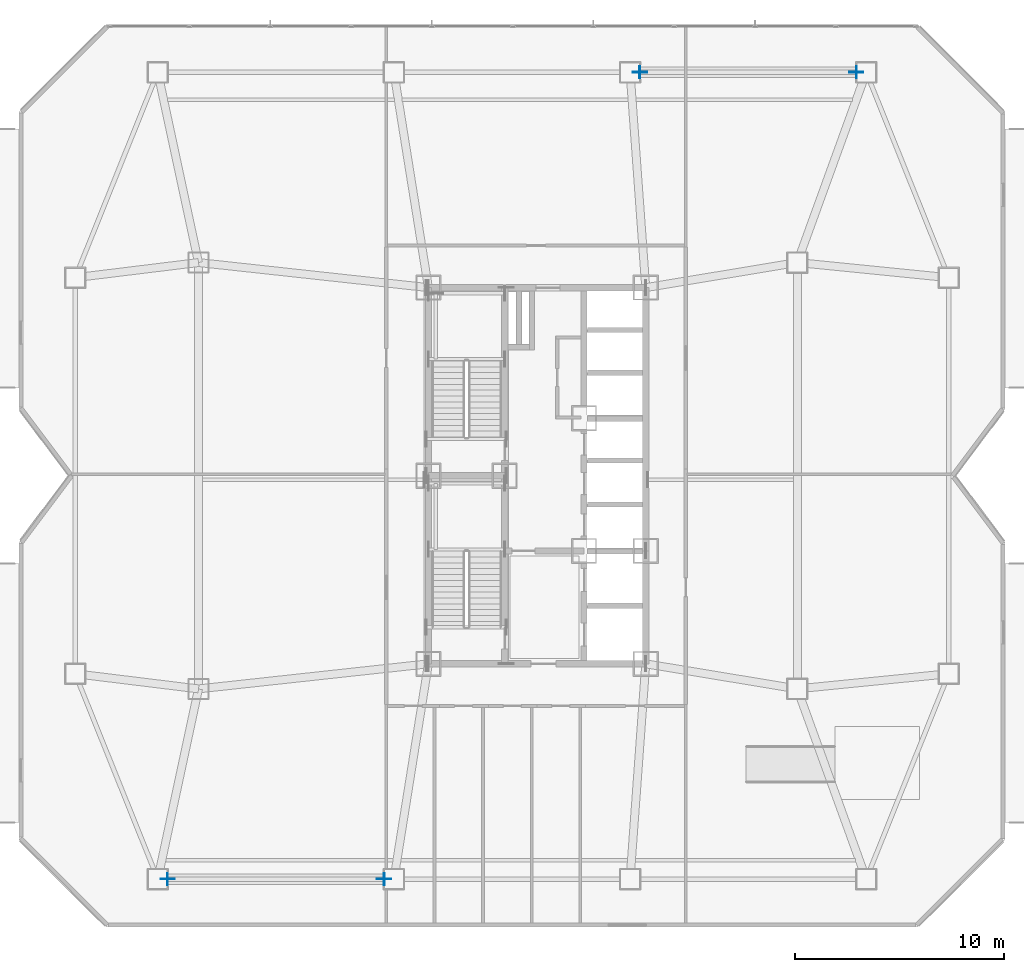
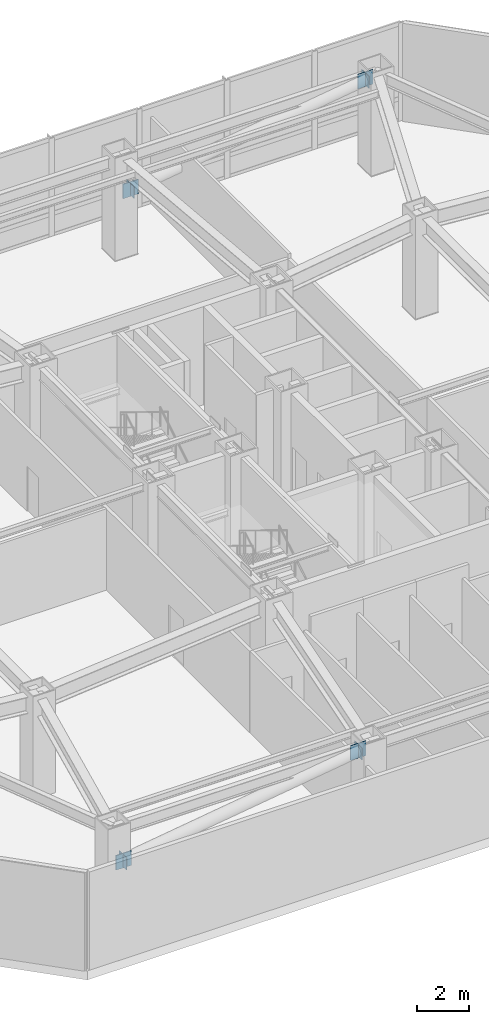
# One storey, part 8 of 14: 8 plates.
"""IFC4 building model written with IfcOpenShell, lengths in metres."""

import ifcopenshell
import ifcopenshell.guid

model = None  # the IFC model being written
_history = None  # IfcOwnerHistory: only IFC2X3 demands one
_inside = {}  # id of a spatial element -> (the spatial element, [elements in it])
_under = {}  # id of a project, library or spatial element -> (it, [spatial elements below it])
_declared = {}  # id of a project -> (the project, [libraries it declares])
_typed = {}  # id of a type object -> (the type object, [elements of that type])
_made_of = {}  # id of a material, layer set ... -> (it, [elements and type objects made of it])


def new_model(schema):
    """Start an empty IFC model of exactly this schema.

    Asked for "IFC4X3", IfcOpenShell would pick the latest addendum, in which some entities
    have other attributes; the version numbers below select the first issue.
    IFC2X3 requires an IfcOwnerHistory on every rooted entity: one is made here for all.
    """
    global model, _history
    if schema == "IFC4X3":
        model = ifcopenshell.file(schema_version=(4, 3, 0, 0))
    else:
        model = ifcopenshell.file(schema=schema)
    _inside.clear()
    _under.clear()
    _declared.clear()
    _typed.clear()
    _made_of.clear()
    _history = None
    if model.schema == "IFC2X3":
        org = make("IfcOrganization", Name="unknown")
        user = make(
            "IfcPersonAndOrganization",
            ThePerson=make("IfcPerson", FamilyName="unknown"),
            TheOrganization=org,
        )
        app = make(
            "IfcApplication",
            ApplicationDeveloper=org,
            Version="unknown",
            ApplicationFullName="unknown",
            ApplicationIdentifier="unknown",
        )
        _history = make(
            "IfcOwnerHistory",
            OwningUser=user,
            OwningApplication=app,
            ChangeAction="ADDED",
            CreationDate=0,
        )
    return model


def make(cls, **values):
    """One entity of the class cls with the attributes given. An attribute that is None is left unset."""
    return model.create_entity(
        cls, **{name: value for name, value in values.items() if value is not None}
    )


def rooted(cls, **values):
    """An entity with a GlobalId (a new one), such as an element, a storey or a relation."""
    return make(cls, GlobalId=ifcopenshell.guid.new(), OwnerHistory=_history, **values)


def si_unit(unit_type, name, prefix=None):
    """IfcSIUnit, for example si_unit("LENGTHUNIT", "METRE", prefix="MILLI")."""
    return make("IfcSIUnit", UnitType=unit_type, Prefix=prefix, Name=name)


def assignment(units):
    """IfcUnitAssignment: the units of a project."""
    return None if units is None else make("IfcUnitAssignment", Units=units)


def point(xyz):
    """IfcCartesianPoint."""
    return None if xyz is None else make("IfcCartesianPoint", Coordinates=xyz)


def direction(xyz):
    """IfcDirection."""
    return None if xyz is None else make("IfcDirection", DirectionRatios=xyz)


def frame(location, z_axis=None, x_axis=None):
    """IfcAxis2Placement3D, a coordinate frame: its origin and axes. An axis left out is left unset."""
    return make(
        "IfcAxis2Placement3D",
        Location=point(location),
        Axis=direction(z_axis),
        RefDirection=direction(x_axis),
    )


def frame_2d(location, x_axis=None):
    """IfcAxis2Placement2D, a coordinate frame in the plane: its origin and x axis."""
    return make(
        "IfcAxis2Placement2D", Location=point(location), RefDirection=direction(x_axis)
    )


def origin():
    """The frame at (0, 0, 0) with its axes left unset."""
    return frame((0.0, 0.0, 0.0))


def origin_2d():
    """The frame at (0, 0) in the plane with its x axis left unset."""
    return frame_2d((0.0, 0.0))


def place(relative_to, where):
    """IfcLocalPlacement: puts the frame where relative to a parent placement (None: the world)."""
    return make(
        "IfcLocalPlacement", PlacementRelTo=relative_to, RelativePlacement=where
    )


def context(
    kind, dimensions, precision=None, world=None, true_north=None, identifier=None
):
    """IfcGeometricRepresentationContext, for example the 3D "Model" context."""
    return make(
        "IfcGeometricRepresentationContext",
        ContextIdentifier=identifier,
        ContextType=kind,
        CoordinateSpaceDimension=dimensions,
        Precision=precision,
        WorldCoordinateSystem=world,
        TrueNorth=true_north,
    )


def subcontext(parent, identifier, kind, view, scale=None):
    """IfcGeometricRepresentationSubContext, for example "Body" below "Model"."""
    return make(
        "IfcGeometricRepresentationSubContext",
        ContextIdentifier=identifier,
        ContextType=kind,
        ParentContext=parent,
        TargetScale=scale,
        TargetView=view,
    )


def project(units=None, contexts=None):
    """IfcProject with its units and contexts."""
    return rooted(
        "IfcProject",
        Name="project",
        RepresentationContexts=contexts,
        UnitsInContext=assignment(units),
    )


def spatial(cls, under=None, at=None, **own):
    """A site, building, storey or space (cls), placed at a placement, below another one or the project."""
    s = rooted(cls, ObjectPlacement=at, **own)
    if under is not None:
        _under.setdefault(under.id(), (under, []))[1].append(s)
    return s


def profile(cls, at=None, kind="AREA", **sizes):
    """A parametric profile (cls). Its sizes go by their IFC names, for example OverallWidth=200.0."""
    return make(cls, ProfileType=kind, Position=at, **sizes)


def rectangle(**sizes):
    """IfcRectangleProfileDef."""
    return profile("IfcRectangleProfileDef", **sizes)


def extrude(swept, where, along, depth):
    """IfcExtrudedAreaSolid: the profile swept, set in the frame where, extruded along a direction by depth."""
    return make(
        "IfcExtrudedAreaSolid",
        SweptArea=swept,
        Position=where,
        ExtrudedDirection=direction(along),
        Depth=depth,
    )


def shape(context_of_items, identifier, shape_type, items):
    """IfcShapeRepresentation: the items that make up one representation, for example the "Body"."""
    return make(
        "IfcShapeRepresentation",
        ContextOfItems=context_of_items,
        RepresentationIdentifier=identifier,
        RepresentationType=shape_type,
        Items=items,
    )


def material(Name=None, Category=None):
    """IfcMaterial."""
    return make("IfcMaterial", Name=Name, Category=Category)


def layer(
    of_material, thickness, ventilated=None, Name=None, Category=None, Priority=None
):
    """IfcMaterialLayer: one layer of a wall or slab, of a material (None: an air gap)."""
    return make(
        "IfcMaterialLayer",
        Material=of_material,
        LayerThickness=thickness,
        IsVentilated=ventilated,
        Name=Name,
        Category=Category,
        Priority=Priority,
    )


def layer_set(layers, Name=None):
    """IfcMaterialLayerSet."""
    return make("IfcMaterialLayerSet", MaterialLayers=layers, LayerSetName=Name)


def made_of(thing, what):
    """Note that an element or type object is made of a material, layer set ...; save() writes the relation."""
    if what is not None:
        _made_of.setdefault(what.id(), (what, []))[1].append(thing)
    return thing


def type_object(cls, material=None, **own):
    """A type object (cls), such as IfcWallType, which elements share."""
    return made_of(rooted(cls, **own), material)


def element(
    cls,
    number,
    at=None,
    inside=None,
    cuts=None,
    type_object=None,
    material=None,
    context=None,
    identifier="Body",
    shape_type=None,
    held_by="IfcProductDefinitionShape",
    body=None,
    shapes=None,
    **own,
):
    """One element of the class cls, such as IfcWall. Its Tag is "e" and its number.

    at: its placement. inside: the storey or other place that contains it. cuts: it is an
    opening in that element (IfcRelVoidsElement). A single representation is given by context,
    identifier, shape_type and body (its items); several are given by shapes. held_by: the class
    of the entity that holds the representations. save() writes the other relations.
    """
    e = rooted(cls, Tag="e%d" % number, ObjectPlacement=at, **own)
    if body is not None:
        shapes = [shape(context, identifier, shape_type, body)]
    if shapes is not None:
        e.Representation = make(held_by, Representations=shapes)
    if inside is not None:
        _inside.setdefault(inside.id(), (inside, []))[1].append(e)
    if cuts is not None:
        rooted(
            "IfcRelVoidsElement", RelatingBuildingElement=cuts, RelatedOpeningElement=e
        )
    if type_object is not None:
        _typed.setdefault(type_object.id(), (type_object, []))[1].append(e)
    return made_of(e, material)


def aggregate(whole, parts):
    """IfcRelAggregates: a whole, such as a stair, and the parts it consists of."""
    return rooted("IfcRelAggregates", RelatingObject=whole, RelatedObjects=parts)


def save(model, path):
    """Write the relations noted so far, then the file.

    IfcRelAggregates (storeys below a building ...), IfcRelContainedInSpatialStructure (elements
    in a storey), IfcRelDefinesByType, IfcRelAssociatesMaterial and IfcRelDeclares: one each for
    every whole, place, type object, material and project.
    """
    for whole, parts in _under.values():
        aggregate(whole, parts)
    for where, things in _inside.values():
        rooted(
            "IfcRelContainedInSpatialStructure",
            RelatedElements=things,
            RelatingStructure=where,
        )
    for kind, things in _typed.values():
        rooted("IfcRelDefinesByType", RelatedObjects=things, RelatingType=kind)
    for what, things in _made_of.values():
        rooted("IfcRelAssociatesMaterial", RelatedObjects=things, RelatingMaterial=what)
    for by, libraries in _declared.values():
        rooted("IfcRelDeclares", RelatingContext=by, RelatedDefinitions=libraries)
    model.write(path)


model = new_model("IFC4")

# Units and contexts
model_context = context("Model", 3, precision=1e-05, world=origin(), true_north=direction((0.0, 1.0)))
body_context = subcontext(model_context, "Body", "Model", "MODEL_VIEW")
ifc_project = project(units=[si_unit("LENGTHUNIT", "METRE"), si_unit("AREAUNIT", "SQUARE_METRE"), si_unit("VOLUMEUNIT", "CUBIC_METRE"), si_unit("PLANEANGLEUNIT", "RADIAN"), si_unit("MASSUNIT", "GRAM", prefix="KILO")], contexts=[model_context])

# Site, building, storey
site_placement = place(None, origin())
site = spatial("IfcSite", under=ifc_project, at=site_placement, CompositionType="ELEMENT")
building_placement = place(site_placement, origin())
building = spatial("IfcBuilding", under=site, at=building_placement, Name="Khamvora Tower", CompositionType="ELEMENT")
storey_placement = place(building_placement, frame((0.0, 0.0, 89.800048828125)))
storey = spatial("IfcBuildingStorey", under=building, at=storey_placement, Name="L22", CompositionType="ELEMENT", Elevation=89.800048828125)

# Plates
ifc_material_1 = material(Name="Steel S355", Category="steel")
ifc_layer_1 = layer(ifc_material_1, 0.02490234375)
ifc_layer_set_1 = layer_set([ifc_layer_1], Name="Steel S355")
plate_type_1 = type_object("IfcPlateType", Name="PL-CAP-25", PredefinedType="SHEET", material=ifc_layer_set_1)
for number, where, z_axis, x_axis, name in (
    (1, (16.512939453125, 8.699951171875, 2.462890625), (0.0, 0.0, 1.0), (1.0, 0.0, 0.0), "L22 hollow section steel end cap plate 0732"),
    (2, (26.886962890625, 8.699951171875, 3.9599609375), (0.0, 0.0, 1.0), (1.0, 0.0, 0.0), "L22 hollow section steel end cap plate 0733"),
    (3, (39.113037109375, 47.300048828125, 2.462890625), (0.0, 0.0, 1.0), (1.0, 0.0, 0.0), "L22 hollow section steel end cap plate 0734"),
    (4, (49.487060546875, 47.300048828125, 3.9599609375), (0.0, 0.0, 1.0), (1.0, 0.0, 0.0), "L22 hollow section steel end cap plate 0735"),
):
    element("IfcPlate", number, at=place(storey_placement, frame(where, z_axis=z_axis, x_axis=x_axis)), inside=storey, type_object=plate_type_1, Name=name, PredefinedType="SHEET", context=body_context, shape_type="SweptSolid", body=[
        extrude(rectangle(XDim=0.02490234375, YDim=0.568115234375, at=origin_2d()), origin(), (0.0, 0.0, 1.0), 0.568115234375),
    ])
ifc_material_2 = material(Name="Steel S460", Category="steel")
ifc_layer_2 = layer(ifc_material_2, 0.0400390625)
ifc_layer_set_2 = layer_set([ifc_layer_2], Name="Steel S460")
plate_type_2 = type_object("IfcPlateType", Name="PLT-GUS-40", PredefinedType="SHEET", material=ifc_layer_set_2)
for number, where, z_axis, x_axis, name in (
    (5, (16.52490234375, 8.699951171875, 2.4091796875), (0.0, 0.0, 1.0), (1.0, 0.0, 0.0), "L22 brace connection node gusset plate 0165"),
    (6, (26.875, 8.699951171875, 3.90185546875), (0.0, 0.0, 1.0), (1.0, 0.0, 0.0), "L22 brace connection node gusset plate 0166"),
    (7, (39.125, 47.300048828125, 2.4091796875), (0.0, 0.0, 1.0), (1.0, 0.0, 0.0), "L22 brace connection node gusset plate 0167"),
    (8, (49.47509765625, 47.300048828125, 3.90185546875), (0.0, 0.0, 1.0), (1.0, 0.0, 0.0), "L22 brace connection node gusset plate 0168"),
):
    element("IfcPlate", number, at=place(storey_placement, frame(where, z_axis=z_axis, x_axis=x_axis)), inside=storey, type_object=plate_type_2, Name=name, PredefinedType="SHEET", context=body_context, shape_type="SweptSolid", body=[
        extrude(rectangle(XDim=0.679931640625, YDim=0.0400390625, at=origin_2d()), origin(), (0.0, 0.0, 1.0), 0.679931640625),
    ])

save(model, "model.ifc")
